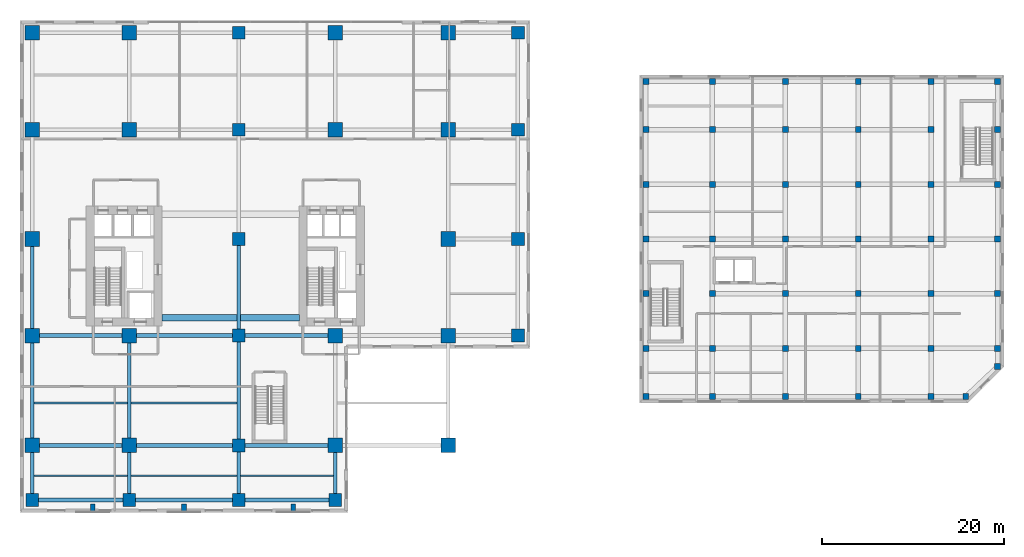
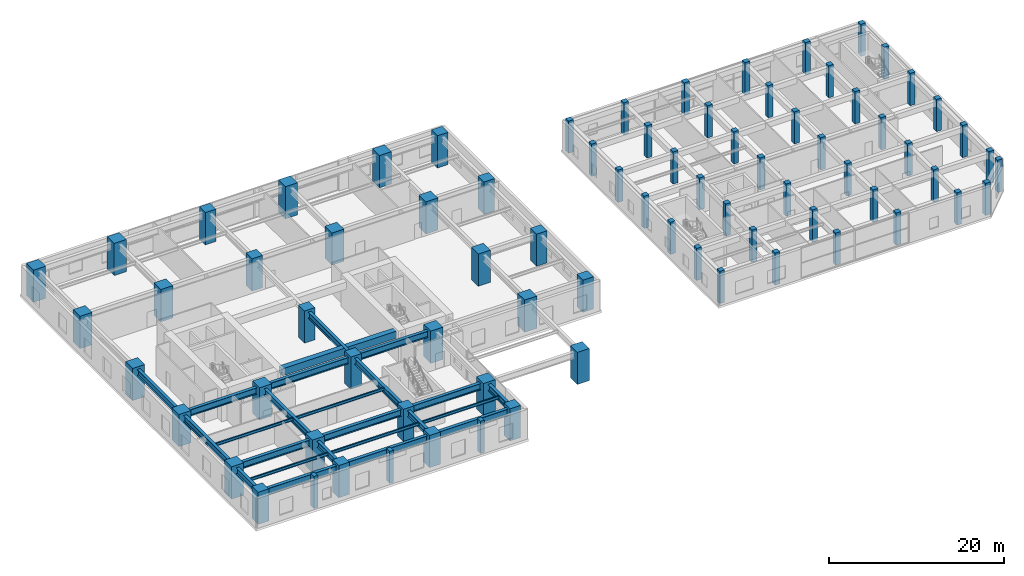
# One storey, part 1 of 26: 77 columns, 24 beams.
"""IFC4 building model written with IfcOpenShell, lengths in metres."""

from ifc_helpers import new_model, si_unit, direction, frame, origin, origin_2d, place, context, subcontext, project, spatial, rectangle, i_section, extrude, source, transform, mapped, material, material_profile, profile_set, type_object, element, save


model = new_model("IFC4")

# Units and contexts
model_context = context("Model", 3, precision=1e-05, world=origin(), true_north=direction((0.0, 1.0)))
body_context = subcontext(model_context, "Body", "Model", "MODEL_VIEW")
ifc_project = project(units=[si_unit("LENGTHUNIT", "METRE"), si_unit("AREAUNIT", "SQUARE_METRE"), si_unit("VOLUMEUNIT", "CUBIC_METRE"), si_unit("PLANEANGLEUNIT", "RADIAN"), si_unit("MASSUNIT", "GRAM", prefix="KILO")], contexts=[model_context])

# Site, building, storey
site_placement = place(None, origin())
site = spatial("IfcSite", under=ifc_project, at=site_placement, CompositionType="ELEMENT")
building_placement = place(site_placement, origin())
building = spatial("IfcBuilding", under=site, at=building_placement, Name="Khoralis Quay Care Tower", CompositionType="ELEMENT")
storey_placement = place(building_placement, frame((0.0, 0.0, 4.5)))
storey = spatial("IfcBuildingStorey", under=building, at=storey_placement, Name="L01", CompositionType="ELEMENT", Elevation=4.5)

# Columns
ifc_material_1 = material(Name="Concrete C80/95", Category="concrete")
ifc_material_profile_1 = material_profile(ifc_material_1, rectangle(XDim=1.39990234375, YDim=1.39990234375, at=origin_2d()), Name="Concrete C80/95")
ifc_profile_set_1 = profile_set([ifc_material_profile_1], Name="Concrete C80/95")
column_type_1 = type_object("IfcColumnType", Name="COL-MC1400", PredefinedType="COLUMN", material=ifc_profile_set_1)
shared_shape_1 = source(origin(), body_context, "Body", "SweptSolid", [
    extrude(rectangle(XDim=1.39990234375, YDim=1.39990234375, at=origin_2d()), origin(), (0.0, 0.0, 1.0), 4.5),
])
for number, where, z_axis, x_axis, name in (
    (1, (1.35009765625, -4.64990234375, 0.0), (0.0, 0.0, 1.0), (1.0, 0.0, 0.0), "L01 Mega column COL-POD-L01-01"),
    (2, (12.0, -4.64990234375, 0.0), (0.0, 0.0, 1.0), (1.0, 0.0, 0.0), "L01 Mega column COL-POD-L01-07"),
    (3, (24.0, -4.64990234375, 0.0), (0.0, 0.0, 1.0), (1.0, 0.0, 0.0), "L01 Mega column COL-POD-L01-12"),
    (4, (24.0, 1.35009765625, 0.0), (0.0, 0.0, 1.0), (1.0, 0.0, 0.0), "L01 Mega column COL-POD-L01-13"),
    (5, (24.0, 13.39990234375, 0.0), (0.0, 0.0, 1.0), (1.0, 0.0, 0.0), "L01 Mega column COL-POD-L01-14"),
    (6, (24.0, 24.0, 0.0), (0.0, 0.0, 1.0), (1.0, 0.0, 0.0), "L01 Mega column COL-POD-L01-15"),
    (7, (24.0, 36.0, 0.0), (0.0, 0.0, 1.0), (1.0, 0.0, 0.0), "L01 Mega column COL-POD-L01-16"),
    (8, (24.0, 46.64990234375, 0.0), (0.0, 0.0, 1.0), (1.0, 0.0, 0.0), "L01 Mega column COL-POD-L01-17"),
    (9, (34.60009765625, -4.64990234375, 0.0), (0.0, 0.0, 1.0), (1.0, 0.0, 0.0), "L01 Mega column COL-POD-L01-18"),
    (10, (54.64990234375, 13.39990234375, 0.0), (0.0, 0.0, 1.0), (1.0, 0.0, 0.0), "L01 Mega column COL-POD-L01-28"),
    (11, (54.64990234375, 24.0, 0.0), (0.0, 0.0, 1.0), (1.0, 0.0, 0.0), "L01 Mega column COL-POD-L01-29"),
    (12, (54.64990234375, 36.0, 0.0), (0.0, 0.0, 1.0), (1.0, 0.0, 0.0), "L01 Mega column COL-POD-L01-30"),
    (13, (54.64990234375, 46.64990234375, 0.0), (0.0, 0.0, 1.0), (1.0, 0.0, 0.0), "L01 Mega column COL-POD-L01-31"),
):
    element("IfcColumn", number, at=place(storey_placement, frame(where, z_axis=z_axis, x_axis=x_axis)), inside=storey, type_object=column_type_1, Name=name, PredefinedType="COLUMN", context=body_context, shape_type="MappedRepresentation", body=[
        mapped(shared_shape_1, transform((0.0, 0.0, 0.0), scale=1.0)),
    ])
ifc_material_profile_2 = material_profile(ifc_material_1, rectangle(XDim=1.60009765625, YDim=1.60009765625, at=origin_2d()), Name="Concrete C80/95")
ifc_profile_set_2 = profile_set([ifc_material_profile_2], Name="Concrete C80/95")
column_type_2 = type_object("IfcColumnType", Name="COL-MC1600", PredefinedType="COLUMN", material=ifc_profile_set_2)
shared_shape_2 = source(origin(), body_context, "Body", "SweptSolid", [
    extrude(rectangle(XDim=1.60009765625, YDim=1.60009765625, at=origin_2d()), origin(), (0.0, 0.0, 1.0), 4.5),
])
for number, where, z_axis, x_axis, name in (
    (14, (1.35009765625, 1.35009765625, 0.0), (0.0, 0.0, 1.0), (1.0, 0.0, 0.0), "L01 Mega column COL-POD-L01-02"),
    (15, (1.35009765625, 13.39990234375, 0.0), (0.0, 0.0, 1.0), (1.0, 0.0, 0.0), "L01 Mega column COL-POD-L01-03"),
    (16, (1.35009765625, 24.0, 0.0), (0.0, 0.0, 1.0), (1.0, 0.0, 0.0), "L01 Mega column COL-POD-L01-04"),
    (17, (1.35009765625, 36.0, 0.0), (0.0, 0.0, 1.0), (1.0, 0.0, 0.0), "L01 Mega column COL-POD-L01-05"),
    (18, (1.35009765625, 46.64990234375, 0.0), (0.0, 0.0, 1.0), (1.0, 0.0, 0.0), "L01 Mega column COL-POD-L01-06"),
    (19, (12.0, 1.35009765625, 0.0), (0.0, 0.0, 1.0), (1.0, 0.0, 0.0), "L01 Mega column COL-POD-L01-08"),
    (20, (12.0, 13.39990234375, 0.0), (0.0, 0.0, 1.0), (1.0, 0.0, 0.0), "L01 Mega column COL-POD-L01-09"),
    (21, (12.0, 36.0, 0.0), (0.0, 0.0, 1.0), (1.0, 0.0, 0.0), "L01 Mega column COL-POD-L01-10"),
    (22, (12.0, 46.64990234375, 0.0), (0.0, 0.0, 1.0), (1.0, 0.0, 0.0), "L01 Mega column COL-POD-L01-11"),
    (23, (34.60009765625, 1.35009765625, 0.0), (0.0, 0.0, 1.0), (1.0, 0.0, 0.0), "L01 Mega column COL-POD-L01-19"),
    (24, (34.60009765625, 13.39990234375, 0.0), (0.0, 0.0, 1.0), (1.0, 0.0, 0.0), "L01 Mega column COL-POD-L01-20"),
    (25, (34.60009765625, 36.0, 0.0), (0.0, 0.0, 1.0), (1.0, 0.0, 0.0), "L01 Mega column COL-POD-L01-21"),
    (26, (34.60009765625, 46.64990234375, 0.0), (0.0, 0.0, 1.0), (1.0, 0.0, 0.0), "L01 Mega column COL-POD-L01-22"),
    (27, (47.0, 1.35009765625, 0.0), (0.0, 0.0, 1.0), (1.0, 0.0, 0.0), "L01 Mega column COL-POD-L01-23"),
    (28, (47.0, 13.39990234375, 0.0), (0.0, 0.0, 1.0), (1.0, 0.0, 0.0), "L01 Mega column COL-POD-L01-24"),
    (29, (47.0, 24.0, 0.0), (0.0, 0.0, 1.0), (1.0, 0.0, 0.0), "L01 Mega column COL-POD-L01-25"),
    (30, (47.0, 36.0, 0.0), (0.0, 0.0, 1.0), (1.0, 0.0, 0.0), "L01 Mega column COL-POD-L01-26"),
    (31, (47.0, 46.64990234375, 0.0), (0.0, 0.0, 1.0), (1.0, 0.0, 0.0), "L01 Mega column COL-POD-L01-27"),
):
    element("IfcColumn", number, at=place(storey_placement, frame(where, z_axis=z_axis, x_axis=x_axis)), inside=storey, type_object=column_type_2, Name=name, PredefinedType="COLUMN", context=body_context, shape_type="MappedRepresentation", body=[
        mapped(shared_shape_2, transform((0.0, 0.0, 0.0), scale=1.0)),
    ])
ifc_material_2 = material(Name="Concrete C50/60", Category="concrete")
ifc_material_profile_3 = material_profile(ifc_material_2, rectangle(XDim=0.5, YDim=0.75, at=origin_2d()), Name="Concrete C50/60")
ifc_profile_set_3 = profile_set([ifc_material_profile_3], Name="Concrete C50/60")
column_type_3 = type_object("IfcColumnType", Name="COL-PIL500X750", PredefinedType="PILASTER", material=ifc_profile_set_3)
shared_shape_3 = source(origin(), body_context, "Body", "SweptSolid", [
    extrude(rectangle(XDim=0.5, YDim=0.75, at=origin_2d()), origin(), (0.0, 0.0, 1.0), 4.5),
])
for number, where, z_axis, x_axis, name in (
    (32, (8.0, -5.449951171875, 0.0), (0.0, 0.0, 1.0), (1.0, 0.0, 0.0), "L01 Waterfront Colonnade Pilaster 1"),
    (33, (18.0, -5.449951171875, 0.0), (0.0, 0.0, 1.0), (1.0, 0.0, 0.0), "L01 Waterfront Colonnade Pilaster 2"),
    (34, (30.0, -5.449951171875, 0.0), (0.0, 0.0, 1.0), (1.0, 0.0, 0.0), "L01 Waterfront Colonnade Pilaster 3"),
):
    element("IfcColumn", number, at=place(storey_placement, frame(where, z_axis=z_axis, x_axis=x_axis)), inside=storey, type_object=column_type_3, Name=name, PredefinedType="PILASTER", context=body_context, shape_type="MappedRepresentation", body=[
        mapped(shared_shape_3, transform((0.0, 0.0, 0.0), scale=1.0)),
    ])
ifc_material_3 = material(Name="Concrete C40/50", Category="concrete")
ifc_material_profile_4 = material_profile(ifc_material_3, rectangle(XDim=0.64990234375, YDim=0.64990234375, at=origin_2d()), Name="Concrete C40/50")
ifc_profile_set_4 = profile_set([ifc_material_profile_4], Name="Concrete C40/50")
column_type_4 = type_object("IfcColumnType", Name="COL-SC650", PredefinedType="COLUMN", material=ifc_profile_set_4)
shared_shape_4 = source(origin(), body_context, "Body", "SweptSolid", [
    extrude(rectangle(XDim=0.64990234375, YDim=0.64990234375, at=origin_2d()), origin(), (0.0, 0.0, 1.0), 4.5),
])
for number, where, z_axis, x_axis, name in (
    (35, (68.699951171875, 6.699951171875, 0.0), (0.0, 0.0, 1.0), (1.0, 0.0, 0.0), "COL-SCH-L01-01"),
    (36, (68.699951171875, 12.0, 0.0), (0.0, 0.0, 1.0), (1.0, 0.0, 0.0), "COL-SCH-L01-02"),
    (37, (68.699951171875, 18.0, 0.0), (0.0, 0.0, 1.0), (1.0, 0.0, 0.0), "COL-SCH-L01-03"),
    (38, (68.699951171875, 24.0, 0.0), (0.0, 0.0, 1.0), (1.0, 0.0, 0.0), "COL-SCH-L01-04"),
    (39, (68.699951171875, 30.0, 0.0), (0.0, 0.0, 1.0), (1.0, 0.0, 0.0), "COL-SCH-L01-05"),
    (40, (68.699951171875, 36.0, 0.0), (0.0, 0.0, 1.0), (1.0, 0.0, 0.0), "COL-SCH-L01-06"),
    (41, (68.699951171875, 41.300048828125, 0.0), (0.0, 0.0, 1.0), (1.0, 0.0, 0.0), "COL-SCH-L01-07"),
    (42, (76.0, 6.699951171875, 0.0), (0.0, 0.0, 1.0), (1.0, 0.0, 0.0), "COL-SCH-L01-08"),
    (43, (76.0, 12.0, 0.0), (0.0, 0.0, 1.0), (1.0, 0.0, 0.0), "COL-SCH-L01-09"),
    (44, (76.0, 18.0, 0.0), (0.0, 0.0, 1.0), (1.0, 0.0, 0.0), "COL-SCH-L01-10"),
    (45, (76.0, 24.0, 0.0), (0.0, 0.0, 1.0), (1.0, 0.0, 0.0), "COL-SCH-L01-11"),
    (46, (76.0, 30.0, 0.0), (0.0, 0.0, 1.0), (1.0, 0.0, 0.0), "COL-SCH-L01-12"),
    (47, (76.0, 36.0, 0.0), (0.0, 0.0, 1.0), (1.0, 0.0, 0.0), "COL-SCH-L01-13"),
    (48, (76.0, 41.300048828125, 0.0), (0.0, 0.0, 1.0), (1.0, 0.0, 0.0), "COL-SCH-L01-14"),
    (49, (84.0, 6.699951171875, 0.0), (0.0, 0.0, 1.0), (1.0, 0.0, 0.0), "COL-SCH-L01-15"),
    (50, (84.0, 12.0, 0.0), (0.0, 0.0, 1.0), (1.0, 0.0, 0.0), "COL-SCH-L01-16"),
    (51, (84.0, 18.0, 0.0), (0.0, 0.0, 1.0), (1.0, 0.0, 0.0), "COL-SCH-L01-17"),
    (52, (84.0, 24.0, 0.0), (0.0, 0.0, 1.0), (1.0, 0.0, 0.0), "COL-SCH-L01-18"),
    (53, (84.0, 30.0, 0.0), (0.0, 0.0, 1.0), (1.0, 0.0, 0.0), "COL-SCH-L01-19"),
    (54, (84.0, 36.0, 0.0), (0.0, 0.0, 1.0), (1.0, 0.0, 0.0), "COL-SCH-L01-20"),
    (55, (84.0, 41.300048828125, 0.0), (0.0, 0.0, 1.0), (1.0, 0.0, 0.0), "COL-SCH-L01-21"),
    (56, (92.0, 6.699951171875, 0.0), (0.0, 0.0, 1.0), (1.0, 0.0, 0.0), "COL-SCH-L01-22"),
    (57, (92.0, 12.0, 0.0), (0.0, 0.0, 1.0), (1.0, 0.0, 0.0), "COL-SCH-L01-23"),
    (58, (92.0, 18.0, 0.0), (0.0, 0.0, 1.0), (1.0, 0.0, 0.0), "COL-SCH-L01-24"),
    (59, (92.0, 24.0, 0.0), (0.0, 0.0, 1.0), (1.0, 0.0, 0.0), "COL-SCH-L01-25"),
    (60, (92.0, 30.0, 0.0), (0.0, 0.0, 1.0), (1.0, 0.0, 0.0), "COL-SCH-L01-26"),
    (61, (92.0, 36.0, 0.0), (0.0, 0.0, 1.0), (1.0, 0.0, 0.0), "COL-SCH-L01-27"),
    (62, (92.0, 41.300048828125, 0.0), (0.0, 0.0, 1.0), (1.0, 0.0, 0.0), "COL-SCH-L01-28"),
    (63, (100.0, 6.699951171875, 0.0), (0.0, 0.0, 1.0), (1.0, 0.0, 0.0), "COL-SCH-L01-29"),
    (64, (100.0, 12.0, 0.0), (0.0, 0.0, 1.0), (1.0, 0.0, 0.0), "COL-SCH-L01-30"),
    (65, (100.0, 18.0, 0.0), (0.0, 0.0, 1.0), (1.0, 0.0, 0.0), "COL-SCH-L01-31"),
    (66, (100.0, 24.0, 0.0), (0.0, 0.0, 1.0), (1.0, 0.0, 0.0), "COL-SCH-L01-32"),
    (67, (100.0, 30.0, 0.0), (0.0, 0.0, 1.0), (1.0, 0.0, 0.0), "COL-SCH-L01-33"),
    (68, (100.0, 36.0, 0.0), (0.0, 0.0, 1.0), (1.0, 0.0, 0.0), "COL-SCH-L01-34"),
    (69, (100.0, 41.300048828125, 0.0), (0.0, 0.0, 1.0), (1.0, 0.0, 0.0), "COL-SCH-L01-35"),
    (70, (107.300048828125, 12.0, 0.0), (0.0, 0.0, 1.0), (1.0, 0.0, 0.0), "COL-SCH-L01-36"),
    (71, (107.300048828125, 18.0, 0.0), (0.0, 0.0, 1.0), (1.0, 0.0, 0.0), "COL-SCH-L01-37"),
    (72, (107.300048828125, 24.0, 0.0), (0.0, 0.0, 1.0), (1.0, 0.0, 0.0), "COL-SCH-L01-38"),
    (73, (107.300048828125, 30.0, 0.0), (0.0, 0.0, 1.0), (1.0, 0.0, 0.0), "COL-SCH-L01-39"),
    (74, (107.300048828125, 36.0, 0.0), (0.0, 0.0, 1.0), (1.0, 0.0, 0.0), "COL-SCH-L01-40"),
    (75, (107.300048828125, 41.300048828125, 0.0), (0.0, 0.0, 1.0), (1.0, 0.0, 0.0), "COL-SCH-L01-41"),
    (76, (103.800048828125, 6.699951171875, 0.0), (0.0, 0.0, 1.0), (1.0, 0.0, 0.0), "COL-SCH-L01-42"),
    (77, (107.300048828125, 10.0, 0.0), (0.0, 0.0, 1.0), (1.0, 0.0, 0.0), "COL-SCH-L01-43"),
):
    element("IfcColumn", number, at=place(storey_placement, frame(where, z_axis=z_axis, x_axis=x_axis)), inside=storey, type_object=column_type_4, Name=name, PredefinedType="COLUMN", context=body_context, shape_type="MappedRepresentation", body=[
        mapped(shared_shape_4, transform((0.0, 0.0, 0.0), scale=1.0)),
    ])

# Beams
ifc_material_profile_5 = material_profile(ifc_material_1, rectangle(XDim=0.699951171875, YDim=1.0, at=origin_2d()), Name="Concrete C80/95")
ifc_profile_set_5 = profile_set([ifc_material_profile_5], Name="Concrete C80/95")
beam_type_1 = type_object("IfcBeamType", Name="CB-RC700X1000", PredefinedType="LINTEL", material=ifc_profile_set_5)
shared_shape_5 = source(origin(), body_context, "Body", "SweptSolid", [
    extrude(rectangle(XDim=0.699951171875, YDim=1.0, at=origin_2d()), origin(), (0.0, 0.0, 1.0), 15.079833984375),
])
beam_1_placement = place(storey_placement, frame((15.570068359375, 15.35009765625, 3.659912109375), z_axis=(1.0, 0.0, 0.0), x_axis=(0.0, 1.0, 0.0)))
element("IfcBeam", 78, at=beam_1_placement, inside=storey, type_object=beam_type_1, Name="L01 South Core Coupling Lintel", PredefinedType="LINTEL", context=body_context, shape_type="MappedRepresentation", body=[
    mapped(shared_shape_5, transform((0.0, 0.0, 0.0), scale=1.0)),
])
ifc_material_4 = material(Name="Steel S355", Category="steel")
ifc_material_profile_6 = material_profile(ifc_material_4, i_section(OverallWidth=0.41796875, OverallDepth=0.912109375, WebThickness=0.019287109375, FlangeThickness=0.031982421875, FilletRadius=0.02392578125, at=origin_2d()), Name="Steel S355")
ifc_profile_set_6 = profile_set([ifc_material_profile_6], Name="Steel S355")
beam_type_2 = type_object("IfcBeamType", Name="BM-W920X342", PredefinedType="BEAM", material=ifc_profile_set_6)
shared_shape_6 = source(origin(), body_context, "Body", "SweptSolid", [
    extrude(i_section(OverallWidth=0.41796875, OverallDepth=0.912109375, WebThickness=0.019287109375, FlangeThickness=0.031982421875, FilletRadius=0.02392578125, at=origin_2d()), origin(), (0.0, 0.0, 1.0), 10.64990234375),
])
for number, where, z_axis, x_axis, name in (
    (79, (1.35009765625, -4.64990234375, 3.7041015625), (1.0, 0.0, 0.0), (0.0, 1.0, 0.0), "BM-PODX-L01-01"),
    (80, (1.35009765625, 1.35009765625, 3.7041015625), (1.0, 0.0, 0.0), (0.0, 1.0, 0.0), "BM-PODX-L01-04"),
    (81, (1.35009765625, 13.39990234375, 3.7041015625), (1.0, 0.0, 0.0), (0.0, 1.0, 0.0), "BM-PODX-L01-08"),
):
    element("IfcBeam", number, at=place(storey_placement, frame(where, z_axis=z_axis, x_axis=x_axis)), inside=storey, type_object=beam_type_2, Name=name, PredefinedType="BEAM", context=body_context, shape_type="MappedRepresentation", body=[
        mapped(shared_shape_6, transform((0.0, 0.0, 0.0), scale=1.0)),
    ])
shared_shape_7 = source(origin(), body_context, "Body", "SweptSolid", [
    extrude(i_section(OverallWidth=0.41796875, OverallDepth=0.912109375, WebThickness=0.019287109375, FlangeThickness=0.031982421875, FilletRadius=0.02392578125, at=origin_2d()), origin(), (0.0, 0.0, 1.0), 12.0),
])
for number, where, z_axis, x_axis, name in (
    (82, (12.0, -4.64990234375, 3.7041015625), (1.0, 0.0, 0.0), (0.0, 1.0, 0.0), "BM-PODX-L01-02"),
    (83, (12.0, 1.35009765625, 3.7041015625), (1.0, 0.0, 0.0), (0.0, 1.0, 0.0), "BM-PODX-L01-05"),
    (84, (12.0, 13.39990234375, 3.7041015625), (1.0, 0.0, 0.0), (0.0, 1.0, 0.0), "BM-PODX-L01-09"),
):
    element("IfcBeam", number, at=place(storey_placement, frame(where, z_axis=z_axis, x_axis=x_axis)), inside=storey, type_object=beam_type_2, Name=name, PredefinedType="BEAM", context=body_context, shape_type="MappedRepresentation", body=[
        mapped(shared_shape_7, transform((0.0, 0.0, 0.0), scale=1.0)),
    ])
shared_shape_8 = source(origin(), body_context, "Body", "SweptSolid", [
    extrude(i_section(OverallWidth=0.41796875, OverallDepth=0.912109375, WebThickness=0.019287109375, FlangeThickness=0.031982421875, FilletRadius=0.02392578125, at=origin_2d()), origin(), (0.0, 0.0, 1.0), 10.60009765625),
])
for number, where, z_axis, x_axis, name in (
    (85, (24.0, -4.64990234375, 3.7041015625), (1.0, 0.0, 0.0), (0.0, 1.0, 0.0), "BM-PODX-L01-03"),
    (86, (24.0, 1.35009765625, 3.7041015625), (1.0, 0.0, 0.0), (0.0, 1.0, 0.0), "BM-PODX-L01-06"),
    (87, (24.0, 13.39990234375, 3.7041015625), (1.0, 0.0, 0.0), (0.0, 1.0, 0.0), "BM-PODX-L01-10"),
):
    element("IfcBeam", number, at=place(storey_placement, frame(where, z_axis=z_axis, x_axis=x_axis)), inside=storey, type_object=beam_type_2, Name=name, PredefinedType="BEAM", context=body_context, shape_type="MappedRepresentation", body=[
        mapped(shared_shape_8, transform((0.0, 0.0, 0.0), scale=1.0)),
    ])
ifc_material_profile_7 = material_profile(ifc_material_4, i_section(OverallWidth=0.39990234375, OverallDepth=0.85498046875, WebThickness=0.018310546875, FlangeThickness=0.029296875, FilletRadius=0.02392578125, at=origin_2d()), Name="Steel S355")
ifc_profile_set_7 = profile_set([ifc_material_profile_7], Name="Steel S355")
beam_type_3 = type_object("IfcBeamType", Name="BM-W840X299", PredefinedType="BEAM", material=ifc_profile_set_7)
shared_shape_9 = source(origin(), body_context, "Body", "SweptSolid", [
    extrude(i_section(OverallWidth=0.39990234375, OverallDepth=0.85498046875, WebThickness=0.018310546875, FlangeThickness=0.029296875, FilletRadius=0.02392578125, at=origin_2d()), origin(), (0.0, 0.0, 1.0), 6.0),
])
for number, where, z_axis, x_axis, name in (
    (88, (1.35009765625, -4.64990234375, 3.732421875), (0.0, 1.0, 0.0), (-1.0, 0.0, 0.0), "BM-PODY-L01-24"),
    (89, (12.0, -4.64990234375, 3.732421875), (0.0, 1.0, 0.0), (-1.0, 0.0, 0.0), "BM-PODY-L01-29"),
    (90, (24.0, -4.64990234375, 3.732421875), (0.0, 1.0, 0.0), (-1.0, 0.0, 0.0), "BM-PODY-L01-32"),
    (91, (34.60009765625, -4.64990234375, 3.732421875), (0.0, 1.0, 0.0), (-1.0, 0.0, 0.0), "BM-PODY-L01-37"),
):
    element("IfcBeam", number, at=place(storey_placement, frame(where, z_axis=z_axis, x_axis=x_axis)), inside=storey, type_object=beam_type_3, Name=name, PredefinedType="BEAM", context=body_context, shape_type="MappedRepresentation", body=[
        mapped(shared_shape_9, transform((0.0, 0.0, 0.0), scale=1.0)),
    ])
shared_shape_10 = source(origin(), body_context, "Body", "SweptSolid", [
    extrude(i_section(OverallWidth=0.39990234375, OverallDepth=0.85498046875, WebThickness=0.018310546875, FlangeThickness=0.029296875, FilletRadius=0.02392578125, at=origin_2d()), origin(), (0.0, 0.0, 1.0), 12.0498046875),
])
for number, where, z_axis, x_axis, name in (
    (92, (1.35009765625, 1.35009765625, 3.732421875), (0.0, 1.0, 0.0), (-1.0, 0.0, 0.0), "BM-PODY-L01-25"),
    (93, (12.0, 1.35009765625, 3.732421875), (0.0, 1.0, 0.0), (-1.0, 0.0, 0.0), "BM-PODY-L01-30"),
    (94, (24.0, 1.35009765625, 3.732421875), (0.0, 1.0, 0.0), (-1.0, 0.0, 0.0), "BM-PODY-L01-33"),
):
    element("IfcBeam", number, at=place(storey_placement, frame(where, z_axis=z_axis, x_axis=x_axis)), inside=storey, type_object=beam_type_3, Name=name, PredefinedType="BEAM", context=body_context, shape_type="MappedRepresentation", body=[
        mapped(shared_shape_10, transform((0.0, 0.0, 0.0), scale=1.0)),
    ])
shared_shape_11 = source(origin(), body_context, "Body", "SweptSolid", [
    extrude(i_section(OverallWidth=0.39990234375, OverallDepth=0.85498046875, WebThickness=0.018310546875, FlangeThickness=0.029296875, FilletRadius=0.02392578125, at=origin_2d()), origin(), (0.0, 0.0, 1.0), 10.60009765625),
])
for number, where, z_axis, x_axis, name in (
    (95, (1.35009765625, 13.39990234375, 3.732421875), (0.0, 1.0, 0.0), (-1.0, 0.0, 0.0), "BM-PODY-L01-26"),
    (96, (24.0, 13.39990234375, 3.732421875), (0.0, 1.0, 0.0), (-1.0, 0.0, 0.0), "BM-PODY-L01-34"),
):
    element("IfcBeam", number, at=place(storey_placement, frame(where, z_axis=z_axis, x_axis=x_axis)), inside=storey, type_object=beam_type_3, Name=name, PredefinedType="BEAM", context=body_context, shape_type="MappedRepresentation", body=[
        mapped(shared_shape_11, transform((0.0, 0.0, 0.0), scale=1.0)),
    ])
ifc_material_profile_8 = material_profile(ifc_material_4, i_section(OverallWidth=0.177978515625, OverallDepth=0.406982421875, WebThickness=0.0078125, FlangeThickness=0.0126953125, FilletRadius=0.012939453125, at=origin_2d()), Name="Steel S355")
ifc_profile_set_8 = profile_set([ifc_material_profile_8], Name="Steel S355")
beam_type_4 = type_object("IfcBeamType", Name="BM-W410X60", PredefinedType="JOIST", material=ifc_profile_set_8)
shared_shape_12 = source(origin(), body_context, "Body", "SweptSolid", [
    extrude(i_section(OverallWidth=0.177978515625, OverallDepth=0.406982421875, WebThickness=0.0078125, FlangeThickness=0.0126953125, FilletRadius=0.012939453125, at=origin_2d()), origin(), (0.0, 0.0, 1.0), 10.27392578125),
])
for number, where, z_axis, x_axis, name in (
    (97, (1.5380859375, -2.0, 3.95654296875), (1.0, 0.0, 0.0), (0.0, 1.0, 0.0), "BM-PODJ-L01-47"),
    (98, (1.5380859375, 6.0, 3.95654296875), (1.0, 0.0, 0.0), (0.0, 1.0, 0.0), "BM-PODJ-L01-50"),
):
    element("IfcBeam", number, at=place(storey_placement, frame(where, z_axis=z_axis, x_axis=x_axis)), inside=storey, type_object=beam_type_4, Name=name, PredefinedType="JOIST", context=body_context, shape_type="MappedRepresentation", body=[
        mapped(shared_shape_12, transform((0.0, 0.0, 0.0), scale=1.0)),
    ])
shared_shape_13 = source(origin(), body_context, "Body", "SweptSolid", [
    extrude(i_section(OverallWidth=0.177978515625, OverallDepth=0.406982421875, WebThickness=0.0078125, FlangeThickness=0.0126953125, FilletRadius=0.012939453125, at=origin_2d()), origin(), (0.0, 0.0, 1.0), 11.6240234375),
])
for number, where, z_axis, x_axis, name in (
    (99, (12.18798828125, -2.0, 3.95654296875), (1.0, 0.0, 0.0), (0.0, 1.0, 0.0), "BM-PODJ-L01-48"),
    (100, (12.18798828125, 6.0, 3.95654296875), (1.0, 0.0, 0.0), (0.0, 1.0, 0.0), "BM-PODJ-L01-51"),
):
    element("IfcBeam", number, at=place(storey_placement, frame(where, z_axis=z_axis, x_axis=x_axis)), inside=storey, type_object=beam_type_4, Name=name, PredefinedType="JOIST", context=body_context, shape_type="MappedRepresentation", body=[
        mapped(shared_shape_13, transform((0.0, 0.0, 0.0), scale=1.0)),
    ])
shared_shape_14 = source(origin(), body_context, "Body", "SweptSolid", [
    extrude(i_section(OverallWidth=0.177978515625, OverallDepth=0.406982421875, WebThickness=0.0078125, FlangeThickness=0.0126953125, FilletRadius=0.012939453125, at=origin_2d()), origin(), (0.0, 0.0, 1.0), 10.22412109375),
])
beam_2_placement = place(storey_placement, frame((24.18798828125, -2.0, 3.95654296875), z_axis=(1.0, 0.0, 0.0), x_axis=(0.0, 1.0, 0.0)))
element("IfcBeam", 101, at=beam_2_placement, inside=storey, type_object=beam_type_4, Name="BM-PODJ-L01-49", PredefinedType="JOIST", context=body_context, shape_type="MappedRepresentation", body=[
    mapped(shared_shape_14, transform((0.0, 0.0, 0.0), scale=1.0)),
])

save(model, "model.ifc")
